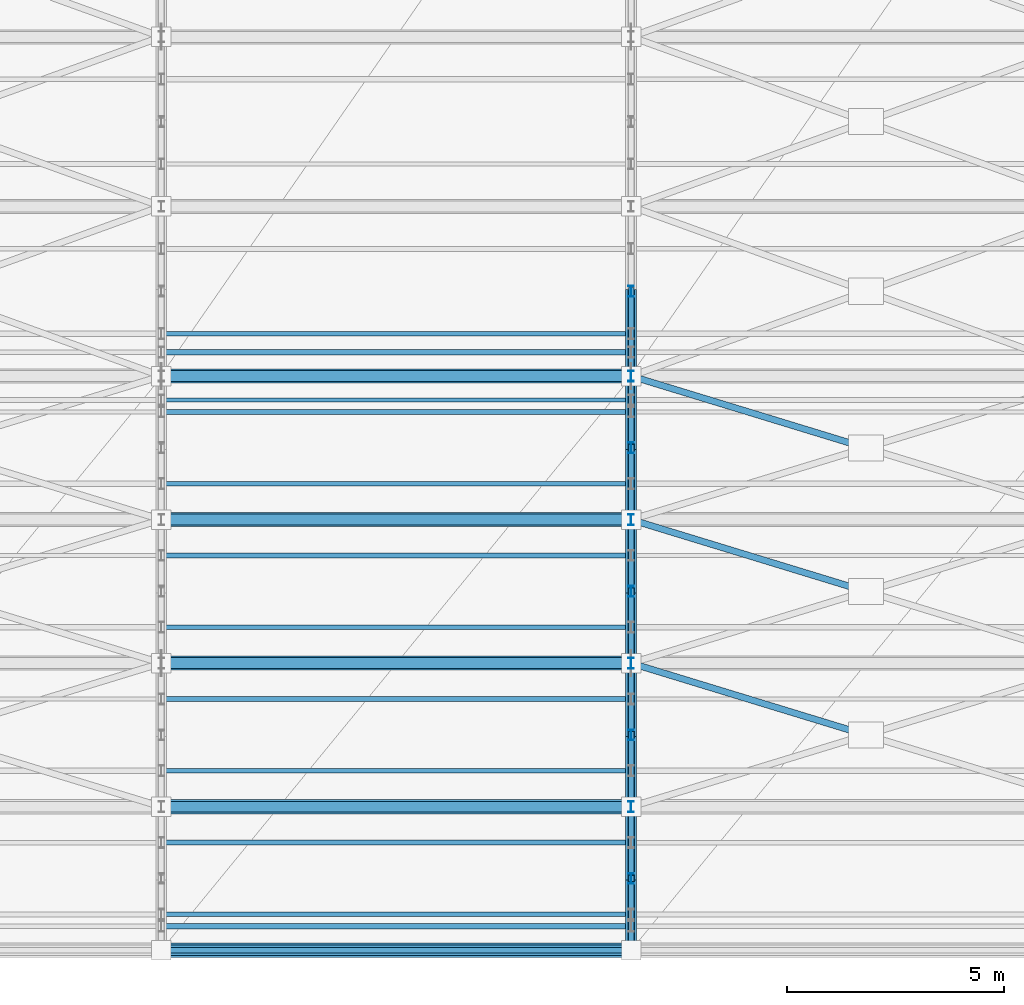
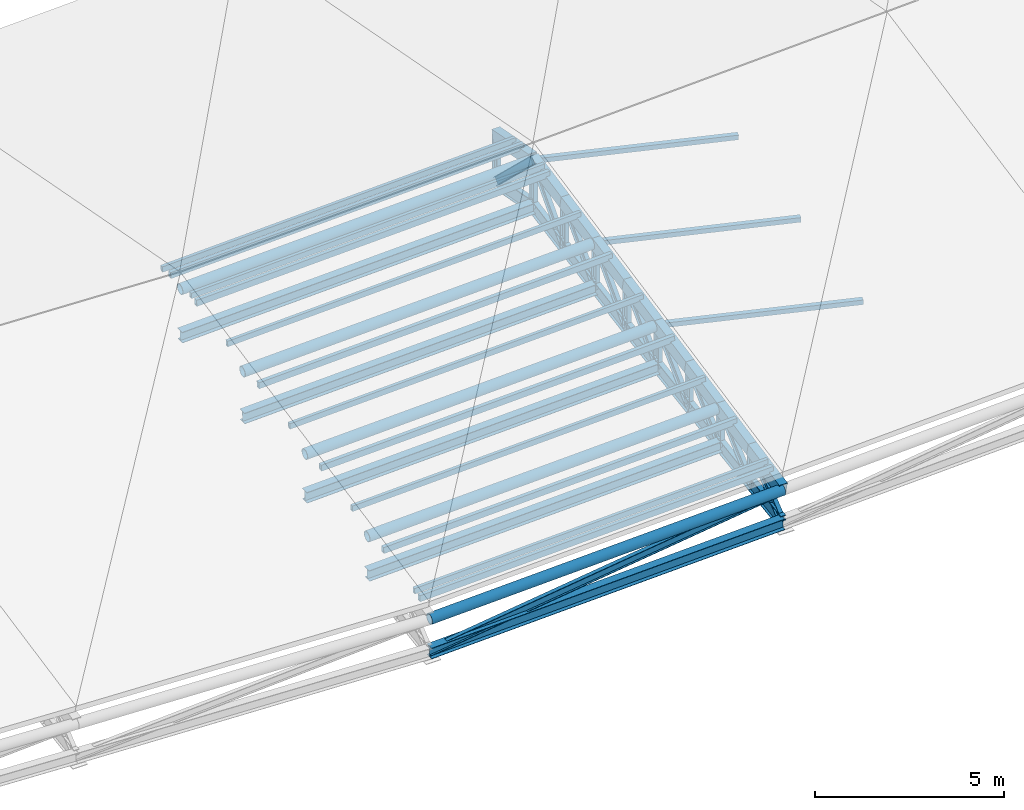
# One storey, part 21 of 89: 44 members, 18 beams.
"""IFC4 building model written with IfcOpenShell, lengths in metres."""

from ifc_helpers import new_model, si_unit, direction, frame, origin, origin_2d, place, context, subcontext, project, spatial, hollow_rectangle, hollow_circle, i_section, extrude, material, material_profile, profile_set, type_object, element, save


model = new_model("IFC4")

# Units and contexts
model_context = context("Model", 3, precision=1e-05, world=origin(), true_north=direction((0.0, 1.0)))
body_context = subcontext(model_context, "Body", "Model", "MODEL_VIEW")
ifc_project = project(units=[si_unit("LENGTHUNIT", "METRE"), si_unit("AREAUNIT", "SQUARE_METRE"), si_unit("VOLUMEUNIT", "CUBIC_METRE"), si_unit("PLANEANGLEUNIT", "RADIAN"), si_unit("MASSUNIT", "GRAM", prefix="KILO")], contexts=[model_context])

# Site, building, storey
site_placement = place(None, origin())
site = spatial("IfcSite", under=ifc_project, at=site_placement, CompositionType="ELEMENT")
building_placement = place(site_placement, origin())
building = spatial("IfcBuilding", under=site, at=building_placement, Name="Suirenkawa Promenade Aquatics Centre", CompositionType="ELEMENT")
storey_placement = place(building_placement, frame((0.0, 0.0, 9.60009765625)))
storey = spatial("IfcBuildingStorey", under=building, at=storey_placement, Name="L02", CompositionType="ELEMENT", Elevation=9.60009765625)

# Beams
ifc_material = material(Name="Steel IS 2062 E350 (Grade 350)", Category="steel")
ifc_material_profile_1 = material_profile(ifc_material, i_section(OverallWidth=0.14990234375, OverallDepth=0.449951171875, WebThickness=0.009033203125, FlangeThickness=0.01708984375, at=origin_2d()), Name="ISMB 450", Category="steel")
ifc_profile_set_1 = profile_set([ifc_material_profile_1], Name="Steel IS 2062 E350 (Grade 350)")
beam_type_1 = type_object("IfcBeamType", Name="BT-STL-ISMB450", PredefinedType="BEAM", material=ifc_profile_set_1)
beam_1_placement = place(storey_placement, frame((122.39990234375, 0.0, -2.16015625), z_axis=(0.0, 0.988714190876, 0.149814047271), x_axis=(-1.0, 0.0, 0.0)))
element("IfcBeam", 1, at=beam_1_placement, inside=storey, type_object=beam_type_1, Name="ROOF TRUSS V3 bottom chord BM-08 BM-2704", PredefinedType="BEAM", context=body_context, shape_type="SweptSolid", body=[
    extrude(i_section(OverallWidth=0.14990234375, OverallDepth=0.449951171875, WebThickness=0.009033203125, FlangeThickness=0.01708984375, at=origin_2d()), origin(), (0.0, 0.0, 1.0), 1.668701171875),
])
beam_2_placement = place(storey_placement, frame((122.39990234375, 1.64990234375, -1.91015625), z_axis=(0.0, 0.988346326675, 0.152222004153), x_axis=(-1.0, 0.0, 0.0)))
element("IfcBeam", 2, at=beam_2_placement, inside=storey, type_object=beam_type_1, Name="ROOF TRUSS V3 bottom chord BM-08 BM-2706", PredefinedType="BEAM", context=body_context, shape_type="SweptSolid", body=[
    extrude(i_section(OverallWidth=0.14990234375, OverallDepth=0.449951171875, WebThickness=0.009033203125, FlangeThickness=0.01708984375, at=origin_2d()), origin(), (0.0, 0.0, 1.0), 1.669677734375),
])
beam_3_placement = place(storey_placement, frame((122.39990234375, 3.300048828125, -1.656005859375), z_axis=(0.0, 0.987921281647, 0.154956578654), x_axis=(-1.0, 0.0, 0.0)))
element("IfcBeam", 3, at=beam_3_placement, inside=storey, type_object=beam_type_1, Name="ROOF TRUSS V3 bottom chord BM-08 BM-2708", PredefinedType="BEAM", context=body_context, shape_type="SweptSolid", body=[
    extrude(i_section(OverallWidth=0.14990234375, OverallDepth=0.449951171875, WebThickness=0.009033203125, FlangeThickness=0.01708984375, at=origin_2d()), origin(), (0.0, 0.0, 1.0), 1.670166015625),
])
beam_4_placement = place(storey_placement, frame((122.39990234375, 4.949951171875, -1.397216796875), z_axis=(0.0, 0.98733650061, 0.158639952606), x_axis=(-1.0, 0.0, 0.0)))
element("IfcBeam", 4, at=beam_4_placement, inside=storey, type_object=beam_type_1, Name="ROOF TRUSS V3 bottom chord BM-08 BM-2710", PredefinedType="BEAM", context=body_context, shape_type="SweptSolid", body=[
    extrude(i_section(OverallWidth=0.14990234375, OverallDepth=0.449951171875, WebThickness=0.009033203125, FlangeThickness=0.01708984375, at=origin_2d()), origin(), (0.0, 0.0, 1.0), 1.67138671875),
])
beam_5_placement = place(storey_placement, frame((122.39990234375, 6.60009765625, -1.132080078125), z_axis=(0.0, 0.986307007362, 0.164919638698), x_axis=(-1.0, 0.0, 0.0)))
element("IfcBeam", 5, at=beam_5_placement, inside=storey, type_object=beam_type_1, Name="ROOF TRUSS V3 bottom chord BM-08 BM-2712", PredefinedType="BEAM", context=body_context, shape_type="SweptSolid", body=[
    extrude(i_section(OverallWidth=0.14990234375, OverallDepth=0.449951171875, WebThickness=0.009033203125, FlangeThickness=0.01708984375, at=origin_2d()), origin(), (0.0, 0.0, 1.0), 1.6728515625),
])
beam_6_placement = place(storey_placement, frame((122.39990234375, 8.25, -0.856201171875), z_axis=(0.0, 0.98519463055, 0.17143961017), x_axis=(-1.0, 0.0, 0.0)))
element("IfcBeam", 6, at=beam_6_placement, inside=storey, type_object=beam_type_1, Name="ROOF TRUSS V3 bottom chord BM-08 BM-2714", PredefinedType="BEAM", context=body_context, shape_type="SweptSolid", body=[
    extrude(i_section(OverallWidth=0.14990234375, OverallDepth=0.449951171875, WebThickness=0.009033203125, FlangeThickness=0.01708984375, at=origin_2d()), origin(), (0.0, 0.0, 1.0), 1.6748046875),
])
beam_7_placement = place(storey_placement, frame((122.39990234375, 9.89990234375, -0.569091796875), z_axis=(0.0, 0.983867580991, 0.178898247823), x_axis=(-1.0, 0.0, 0.0)))
element("IfcBeam", 7, at=beam_7_placement, inside=storey, type_object=beam_type_1, Name="ROOF TRUSS V3 bottom chord BM-08 BM-2716", PredefinedType="BEAM", context=body_context, shape_type="SweptSolid", body=[
    extrude(i_section(OverallWidth=0.14990234375, OverallDepth=0.449951171875, WebThickness=0.009033203125, FlangeThickness=0.01708984375, at=origin_2d()), origin(), (0.0, 0.0, 1.0), 1.67724609375),
])
beam_8_placement = place(storey_placement, frame((122.39990234375, 11.550048828125, -0.26904296875), z_axis=(0.0, 0.982478263587, 0.186377202415), x_axis=(-1.0, 0.0, 0.0)))
element("IfcBeam", 8, at=beam_8_placement, inside=storey, type_object=beam_type_1, Name="ROOF TRUSS V3 bottom chord BM-08 BM-2718", PredefinedType="BEAM", context=body_context, shape_type="SweptSolid", body=[
    extrude(i_section(OverallWidth=0.14990234375, OverallDepth=0.449951171875, WebThickness=0.009033203125, FlangeThickness=0.01708984375, at=origin_2d()), origin(), (0.0, 0.0, 1.0), 1.679443359375),
])
beam_9_placement = place(storey_placement, frame((122.39990234375, 13.199951171875, 0.0439453125), z_axis=(0.0, 0.982368697104, -0.18695385246), x_axis=(-1.0, 0.0, 0.0)))
element("IfcBeam", 9, at=beam_9_placement, inside=storey, type_object=beam_type_1, Name="ROOF TRUSS V3 bottom chord BM-08 BM-2720", PredefinedType="BEAM", context=body_context, shape_type="SweptSolid", body=[
    extrude(i_section(OverallWidth=0.14990234375, OverallDepth=0.449951171875, WebThickness=0.009033203125, FlangeThickness=0.01708984375, at=origin_2d()), origin(), (0.0, 0.0, 1.0), 1.98486328125),
])
ifc_material_profile_2 = material_profile(ifc_material, hollow_rectangle(XDim=0.25, YDim=0.39990234375, WallThickness=0.01611328125, at=origin_2d()), Name="RHS 400x250x16", Category="steel")
ifc_profile_set_2 = profile_set([ifc_material_profile_2], Name="Steel IS 2062 E350 (Grade 350)")
beam_type_2 = type_object("IfcBeamType", Name="BT-TC-RHS400", PredefinedType="BEAM", material=ifc_profile_set_2)
beam_10_placement = place(storey_placement, frame((122.39990234375, 0.0, -1.110107421875), z_axis=(0.0, 0.980457722696, 0.196729901151), x_axis=(-1.0, 0.0, 0.0)))
element("IfcBeam", 10, at=beam_10_placement, inside=storey, type_object=beam_type_2, Name="ROOF TRUSS V3 top chord TC-03 BM-2703", PredefinedType="BEAM", context=body_context, shape_type="SweptSolid", body=[
    extrude(hollow_rectangle(XDim=0.25, YDim=0.39990234375, WallThickness=0.01611328125, at=origin_2d()), origin(), (0.0, 0.0, 1.0), 1.682861328125),
])
beam_11_placement = place(storey_placement, frame((122.39990234375, 1.64990234375, -0.779052734375), z_axis=(0.0, 0.980351285841, 0.197259616621), x_axis=(-1.0, 0.0, 0.0)))
element("IfcBeam", 11, at=beam_11_placement, inside=storey, type_object=beam_type_2, Name="ROOF TRUSS V3 top chord TC-03 BM-2705", PredefinedType="BEAM", context=body_context, shape_type="SweptSolid", body=[
    extrude(hollow_rectangle(XDim=0.25, YDim=0.39990234375, WallThickness=0.01611328125, at=origin_2d()), origin(), (0.0, 0.0, 1.0), 1.68310546875),
])
beam_12_placement = place(storey_placement, frame((122.39990234375, 3.300048828125, -0.447021484375), z_axis=(0.0, 0.980485697583, 0.196590429154), x_axis=(-1.0, 0.0, 0.0)))
element("IfcBeam", 12, at=beam_12_placement, inside=storey, type_object=beam_type_2, Name="ROOF TRUSS V3 top chord TC-03 BM-2707", PredefinedType="BEAM", context=body_context, shape_type="SweptSolid", body=[
    extrude(hollow_rectangle(XDim=0.25, YDim=0.39990234375, WallThickness=0.01611328125, at=origin_2d()), origin(), (0.0, 0.0, 1.0), 1.682861328125),
])
beam_13_placement = place(storey_placement, frame((122.39990234375, 4.949951171875, -0.1162109375), z_axis=(0.0, 0.980463336519, 0.196701921042), x_axis=(-1.0, 0.0, 0.0)))
element("IfcBeam", 13, at=beam_13_placement, inside=storey, type_object=beam_type_2, Name="ROOF TRUSS V3 top chord TC-03 BM-2709", PredefinedType="BEAM", context=body_context, shape_type="SweptSolid", body=[
    extrude(hollow_rectangle(XDim=0.25, YDim=0.39990234375, WallThickness=0.01611328125, at=origin_2d()), origin(), (0.0, 0.0, 1.0), 1.68310546875),
])
for number, where, z_axis, x_axis, name in (
    (14, (122.39990234375, 6.60009765625, 0.21484375), (0.0, 0.980457722696, 0.196729901151), (-1.0, 0.0, 0.0), "ROOF TRUSS V3 top chord TC-03 BM-2711"),
    (15, (122.39990234375, 8.25, 0.5458984375), (0.0, 0.980345640785, 0.197287669646), (-1.0, 0.0, 0.0), "ROOF TRUSS V3 top chord TC-03 BM-2713"),
):
    element("IfcBeam", number, at=place(storey_placement, frame(where, z_axis=z_axis, x_axis=x_axis)), inside=storey, type_object=beam_type_2, Name=name, PredefinedType="BEAM", context=body_context, shape_type="SweptSolid", body=[
        extrude(hollow_rectangle(XDim=0.25, YDim=0.39990234375, WallThickness=0.01611328125, at=origin_2d()), origin(), (0.0, 0.0, 1.0), 1.682861328125),
    ])
beam_14_placement = place(storey_placement, frame((122.39990234375, 9.89990234375, 0.8779296875), z_axis=(0.0, 0.980463336519, 0.196701921042), x_axis=(-1.0, 0.0, 0.0)))
element("IfcBeam", 16, at=beam_14_placement, inside=storey, type_object=beam_type_2, Name="ROOF TRUSS V3 top chord TC-03 BM-2715", PredefinedType="BEAM", context=body_context, shape_type="SweptSolid", body=[
    extrude(hollow_rectangle(XDim=0.25, YDim=0.39990234375, WallThickness=0.01611328125, at=origin_2d()), origin(), (0.0, 0.0, 1.0), 1.68310546875),
])
beam_15_placement = place(storey_placement, frame((122.39990234375, 11.550048828125, 1.208984375), z_axis=(0.0, 0.980485697583, 0.196590429154), x_axis=(-1.0, 0.0, 0.0)))
element("IfcBeam", 17, at=beam_15_placement, inside=storey, type_object=beam_type_2, Name="ROOF TRUSS V3 top chord TC-03 BM-2717", PredefinedType="BEAM", context=body_context, shape_type="SweptSolid", body=[
    extrude(hollow_rectangle(XDim=0.25, YDim=0.39990234375, WallThickness=0.01611328125, at=origin_2d()), origin(), (0.0, 0.0, 1.0), 1.682861328125),
])
beam_16_placement = place(storey_placement, frame((122.39990234375, 13.199951171875, 1.539794921875), z_axis=(0.0, 0.982571460273, -0.185885248087), x_axis=(-1.0, 0.0, 0.0)))
element("IfcBeam", 18, at=beam_16_placement, inside=storey, type_object=beam_type_2, Name="ROOF TRUSS V3 top chord TC-03 BM-2719", PredefinedType="BEAM", context=body_context, shape_type="SweptSolid", body=[
    extrude(hollow_rectangle(XDim=0.25, YDim=0.39990234375, WallThickness=0.01611328125, at=origin_2d()), origin(), (0.0, 0.0, 1.0), 1.984619140625),
])

# Members
ifc_material_profile_3 = material_profile(ifc_material, hollow_rectangle(XDim=0.14990234375, YDim=0.14990234375, WallThickness=0.008056640625, at=origin_2d()), Name="SHS 150x150x8", Category="steel")
ifc_profile_set_3 = profile_set([ifc_material_profile_3], Name="Steel IS 2062 E350 (Grade 350)")
member_type_1 = type_object("IfcMemberType", Name="MT-BRACE-SHS150", PredefinedType="BRACE", material=ifc_profile_set_3)
for number, where, z_axis, x_axis, name in (
    (19, (127.718994140625, 4.97509765625, 0.11083984375), (-0.9561983735, 0.292121741131, 0.018696493648), (-0.292172811394, -0.956365541141, 0.0), "ROOF TRUSS V3 split plan brace B BF-02 MB-1653"),
    (20, (127.718994140625, 8.27490234375, 0.77294921875), (-0.956195220306, 0.29212077782, 0.018871985346), (-0.292172811394, -0.956365541141, 0.0), "ROOF TRUSS V3 split plan brace B BF-02 MB-1656"),
    (21, (127.718994140625, 11.574951171875, 1.435791015625), (-0.9561983735, 0.292121741131, 0.018696493648), (-0.292172811394, -0.956365541141, 0.0), "ROOF TRUSS V3 split plan brace B BF-02 MB-1659"),
):
    element("IfcMember", number, at=place(storey_placement, frame(where, z_axis=z_axis, x_axis=x_axis)), inside=storey, type_object=member_type_1, Name=name, PredefinedType="BRACE", context=body_context, shape_type="SweptSolid", body=[
        extrude(hollow_rectangle(XDim=0.14990234375, YDim=0.14990234375, WallThickness=0.008056640625, at=origin_2d()), origin(), (0.0, 0.0, 1.0), 5.562744140625),
    ])
ifc_material_profile_4 = material_profile(ifc_material, hollow_circle(Radius=0.162109375, WallThickness=0.013916015625, at=origin_2d()), Name="CHS 324x14", Category="steel")
ifc_profile_set_4 = profile_set([ifc_material_profile_4], Name="Steel IS 2062 E350 (Grade 350)")
member_type_2 = type_object("IfcMemberType", Name="MT-CHORD-CHS324", PredefinedType="CHORD", material=ifc_profile_set_4)
for number, where, z_axis, x_axis, name in (
    (22, (111.60009765625, 0.0, -1.510009765625), (0.999315143191, 0.0, 0.037003305103), (0.0, 1.0, 0.0), "ROOF TRUSS V3 eave top chord CH-01 MB-1502"),
    (23, (111.60009765625, 3.300048828125, -0.84716796875), (0.999314307585, 0.0, 0.037025864683), (0.0, 1.0, 0.0), "ROOF TRUSS V3 tie chord CH-01 MB-1541"),
    (24, (111.60009765625, 6.60009765625, -0.18505859375), (0.999315143191, 0.0, 0.037003305103), (0.0, 1.0, 0.0), "ROOF TRUSS V3 tie chord CH-01 MB-1555"),
    (25, (111.60009765625, 9.89990234375, 0.477783203125), (0.999314307585, 0.0, 0.037025864683), (0.0, 1.0, 0.0), "ROOF TRUSS V3 tie chord CH-01 MB-1569"),
    (26, (111.60009765625, 13.199951171875, 1.139892578125), (0.999315143191, 0.0, 0.037003305103), (0.0, 1.0, 0.0), "ROOF TRUSS V3 tie chord CH-01 MB-1583"),
):
    element("IfcMember", number, at=place(storey_placement, frame(where, z_axis=z_axis, x_axis=x_axis)), inside=storey, type_object=member_type_2, Name=name, PredefinedType="CHORD", context=body_context, shape_type="SweptSolid", body=[
        extrude(hollow_circle(Radius=0.162109375, WallThickness=0.013916015625, at=origin_2d()), origin(), (0.0, 0.0, 1.0), 10.80712890625),
    ])
ifc_material_profile_5 = material_profile(ifc_material, i_section(OverallWidth=0.25, OverallDepth=0.35009765625, WebThickness=0.010009765625, FlangeThickness=0.011962890625, at=origin_2d()), Name="ISHB 350", Category="steel")
ifc_profile_set_5 = profile_set([ifc_material_profile_5], Name="Steel IS 2062 E350 (Grade 350)")
member_type_3 = type_object("IfcMemberType", Name="MT-CHORD-ISHB350", PredefinedType="CHORD", material=ifc_profile_set_5)
for number, where, z_axis, x_axis, name in (
    (27, (111.60009765625, 0.0, -2.56005859375), (0.999315143191, 0.0, 0.037003305103), (0.0, 1.0, 0.0), "ROOF TRUSS V3 eave bottom chord CH-04 MB-1503"),
    (28, (111.60009765625, 3.300048828125, -2.05615234375), (0.999314307585, 0.0, 0.037025864683), (0.0, 1.0, 0.0), "ROOF TRUSS V3 bottom tie CH-04 MB-1542"),
    (29, (111.60009765625, 6.60009765625, -1.531982421875), (0.999315143191, 0.0, 0.037003305103), (0.0, 1.0, 0.0), "ROOF TRUSS V3 bottom tie CH-04 MB-1556"),
    (30, (111.60009765625, 9.89990234375, -0.968994140625), (0.999315143191, 0.0, 0.037003305103), (0.0, 1.0, 0.0), "ROOF TRUSS V3 bottom tie CH-04 MB-1570"),
    (31, (111.60009765625, 13.199951171875, -0.356201171875), (0.999314307585, 0.0, 0.037025864683), (0.0, 1.0, 0.0), "ROOF TRUSS V3 bottom tie CH-04 MB-1584"),
):
    element("IfcMember", number, at=place(storey_placement, frame(where, z_axis=z_axis, x_axis=x_axis)), inside=storey, type_object=member_type_3, Name=name, PredefinedType="CHORD", context=body_context, shape_type="SweptSolid", body=[
        extrude(i_section(OverallWidth=0.25, OverallDepth=0.35009765625, WebThickness=0.010009765625, FlangeThickness=0.011962890625, at=origin_2d()), origin(), (0.0, 0.0, 1.0), 10.80712890625),
    ])
ifc_material_profile_6 = material_profile(ifc_material, hollow_rectangle(XDim=0.10009765625, YDim=0.179931640625, WallThickness=0.008056640625, at=origin_2d()), Name="RHS 180x100x8", Category="steel")
ifc_profile_set_6 = profile_set([ifc_material_profile_6], Name="Steel IS 2062 E350 (Grade 350)")
member_type_4 = type_object("IfcMemberType", Name="MT-PURLIN-RHS180", PredefinedType="PURLIN", material=ifc_profile_set_6)
for number, where, z_axis, x_axis, name in (
    (32, (111.60009765625, 0.824951171875, -1.092041015625), (0.999315143191, 0.0, 0.037003305103), (0.0, 1.0, 0.0), "ROOF TRUSS Roof purlin PU-01 MB-2747"),
    (33, (111.60009765625, 4.125, -0.43017578125), (0.999314307585, 0.0, 0.037025864683), (0.0, 1.0, 0.0), "ROOF TRUSS Roof purlin PU-01 MB-2751"),
    (34, (111.60009765625, 7.425048828125, 0.23291015625), (0.999315143191, 0.0, 0.037003305103), (0.0, 1.0, 0.0), "ROOF TRUSS Roof purlin PU-01 MB-2755"),
    (35, (111.60009765625, 10.72509765625, 0.89501953125), (0.999315143191, 0.0, 0.037003305103), (0.0, 1.0, 0.0), "ROOF TRUSS Roof purlin PU-01 MB-2759"),
    (36, (111.60009765625, 12.64990234375, 1.281982421875), (0.999315143191, 0.0, 0.037003305103), (0.0, 1.0, 0.0), "ROOF TRUSS Roof purlin PU-01 MB-2763"),
    (37, (111.60009765625, 14.175048828125, 1.208984375), (0.999315143191, 0.0, 0.037003305103), (0.0, 1.0, 0.0), "ROOF TRUSS Roof purlin PU-01 MB-2767"),
):
    element("IfcMember", number, at=place(storey_placement, frame(where, z_axis=z_axis, x_axis=x_axis)), inside=storey, type_object=member_type_4, Name=name, PredefinedType="PURLIN", context=body_context, shape_type="SweptSolid", body=[
        extrude(hollow_rectangle(XDim=0.10009765625, YDim=0.179931640625, WallThickness=0.008056640625, at=origin_2d()), origin(), (0.0, 0.0, 1.0), 10.80712890625),
    ])
ifc_material_profile_7 = material_profile(ifc_material, hollow_rectangle(XDim=0.1201171875, YDim=0.199951171875, WallThickness=0.008056640625, at=origin_2d()), Name="RHS 200x120x8", Category="steel")
ifc_profile_set_7 = profile_set([ifc_material_profile_7], Name="Steel IS 2062 E350 (Grade 350)")
member_type_5 = type_object("IfcMemberType", Name="MT-PURLIN-RHS200", PredefinedType="PURLIN", material=ifc_profile_set_7)
for number, where, z_axis, x_axis, name in (
    (38, (111.60009765625, 0.550048828125, -1.16015625), (0.999314307585, 0.0, 0.037025864683), (0.0, 1.0, 0.0), "ROOF TRUSS Roof purlin PU-02 MB-2745"),
    (39, (111.60009765625, 2.47509765625, -0.773193359375), (0.999314307585, 0.0, 0.037025864683), (0.0, 1.0, 0.0), "ROOF TRUSS Roof purlin PU-02 MB-2749"),
    (40, (111.60009765625, 5.77490234375, -0.111083984375), (0.999315143191, 0.0, 0.037003305103), (0.0, 1.0, 0.0), "ROOF TRUSS Roof purlin PU-02 MB-2753"),
    (41, (111.60009765625, 9.074951171875, 0.552001953125), (0.999315143191, 0.0, 0.037003305103), (0.0, 1.0, 0.0), "ROOF TRUSS Roof purlin PU-02 MB-2757"),
    (42, (111.60009765625, 12.375, 1.2138671875), (0.999314307585, 0.0, 0.037025864683), (0.0, 1.0, 0.0), "ROOF TRUSS Roof purlin PU-02 MB-2761"),
    (43, (111.60009765625, 13.75, 1.27685546875), (0.999314307585, 0.0, 0.037025864683), (0.0, 1.0, 0.0), "ROOF TRUSS Roof purlin PU-02 MB-2765"),
):
    element("IfcMember", number, at=place(storey_placement, frame(where, z_axis=z_axis, x_axis=x_axis)), inside=storey, type_object=member_type_5, Name=name, PredefinedType="PURLIN", context=body_context, shape_type="SweptSolid", body=[
        extrude(hollow_rectangle(XDim=0.1201171875, YDim=0.199951171875, WallThickness=0.008056640625, at=origin_2d()), origin(), (0.0, 0.0, 1.0), 10.80712890625),
    ])
ifc_material_profile_8 = material_profile(ifc_material, i_section(OverallWidth=0.125, OverallDepth=0.25, WebThickness=0.007080078125, FlangeThickness=0.012939453125, at=origin_2d()), Name="ISMB 250", Category="steel")
ifc_profile_set_8 = profile_set([ifc_material_profile_8], Name="Steel IS 2062 E350 (Grade 350)")
member_type_6 = type_object("IfcMemberType", Name="MT-WEB-CHS168", PredefinedType="BRACE", material=ifc_profile_set_8)
member_1_placement = place(storey_placement, frame((122.39990234375, 0.0, -2.16015625), z_axis=(0.0, 0.766805727189, 0.641879254026), x_axis=(-1.0, 0.0, 0.0)))
element("IfcMember", 44, at=member_1_placement, inside=storey, type_object=member_type_6, Name="ROOF TRUSS V3 web diagonal TD-03 MB-1400", PredefinedType="BRACE", context=body_context, shape_type="SweptSolid", body=[
    extrude(i_section(OverallWidth=0.125, OverallDepth=0.25, WebThickness=0.007080078125, FlangeThickness=0.012939453125, at=origin_2d()), origin(), (0.0, 0.0, 1.0), 2.151611328125),
])
member_2_placement = place(storey_placement, frame((122.39990234375, 1.64990234375, -1.91015625), z_axis=(0.0, 0.748233280402, 0.663435722658), x_axis=(-1.0, 0.0, 0.0)))
element("IfcMember", 45, at=member_2_placement, inside=storey, type_object=member_type_6, Name="ROOF TRUSS V3 web diagonal TD-03 MB-1401", PredefinedType="BRACE", context=body_context, shape_type="SweptSolid", body=[
    extrude(i_section(OverallWidth=0.125, OverallDepth=0.25, WebThickness=0.007080078125, FlangeThickness=0.012939453125, at=origin_2d()), origin(), (0.0, 0.0, 1.0), 2.205322265625),
])
member_3_placement = place(storey_placement, frame((122.39990234375, 3.300048828125, -1.656005859375), z_axis=(0.0, 0.731080449788, 0.682291269135), x_axis=(-1.0, 0.0, 0.0)))
element("IfcMember", 46, at=member_3_placement, inside=storey, type_object=member_type_6, Name="ROOF TRUSS V3 web diagonal TD-03 MB-1402", PredefinedType="BRACE", context=body_context, shape_type="SweptSolid", body=[
    extrude(i_section(OverallWidth=0.125, OverallDepth=0.25, WebThickness=0.007080078125, FlangeThickness=0.012939453125, at=origin_2d()), origin(), (0.0, 0.0, 1.0), 2.2568359375),
])
member_4_placement = place(storey_placement, frame((122.39990234375, 4.949951171875, -1.397216796875), z_axis=(0.0, 0.715313433298, 0.698803757963), x_axis=(-1.0, 0.0, 0.0)))
element("IfcMember", 47, at=member_4_placement, inside=storey, type_object=member_type_6, Name="ROOF TRUSS V3 web diagonal TD-03 MB-1403", PredefinedType="BRACE", context=body_context, shape_type="SweptSolid", body=[
    extrude(i_section(OverallWidth=0.125, OverallDepth=0.25, WebThickness=0.007080078125, FlangeThickness=0.012939453125, at=origin_2d()), origin(), (0.0, 0.0, 1.0), 2.306884765625),
])
member_5_placement = place(storey_placement, frame((122.39990234375, 6.60009765625, -1.132080078125), z_axis=(0.0, 0.701116216261, 0.713047018994), x_axis=(-1.0, 0.0, 0.0)))
element("IfcMember", 48, at=member_5_placement, inside=storey, type_object=member_type_6, Name="ROOF TRUSS V3 web diagonal TD-03 MB-1404", PredefinedType="BRACE", context=body_context, shape_type="SweptSolid", body=[
    extrude(i_section(OverallWidth=0.125, OverallDepth=0.25, WebThickness=0.007080078125, FlangeThickness=0.012939453125, at=origin_2d()), origin(), (0.0, 0.0, 1.0), 2.353271484375),
])
member_6_placement = place(storey_placement, frame((122.39990234375, 8.25, -0.856201171875), z_axis=(0.0, 0.689293428804, 0.724482276531), x_axis=(-1.0, 0.0, 0.0)))
element("IfcMember", 49, at=member_6_placement, inside=storey, type_object=member_type_6, Name="ROOF TRUSS V3 web diagonal TD-03 MB-1405", PredefinedType="BRACE", context=body_context, shape_type="SweptSolid", body=[
    extrude(i_section(OverallWidth=0.125, OverallDepth=0.25, WebThickness=0.007080078125, FlangeThickness=0.012939453125, at=origin_2d()), origin(), (0.0, 0.0, 1.0), 2.3935546875),
])
member_7_placement = place(storey_placement, frame((122.39990234375, 9.89990234375, -0.569091796875), z_axis=(0.0, 0.680246477902, 0.732983444084), x_axis=(-1.0, 0.0, 0.0)))
element("IfcMember", 50, at=member_7_placement, inside=storey, type_object=member_type_6, Name="ROOF TRUSS V3 web diagonal TD-03 MB-1406", PredefinedType="BRACE", context=body_context, shape_type="SweptSolid", body=[
    extrude(i_section(OverallWidth=0.125, OverallDepth=0.25, WebThickness=0.007080078125, FlangeThickness=0.012939453125, at=origin_2d()), origin(), (0.0, 0.0, 1.0), 2.42578125),
])
member_8_placement = place(storey_placement, frame((122.39990234375, 11.550048828125, -0.26904296875), z_axis=(0.0, 0.673902786991, 0.73882002794), x_axis=(-1.0, 0.0, 0.0)))
element("IfcMember", 51, at=member_8_placement, inside=storey, type_object=member_type_6, Name="ROOF TRUSS V3 web diagonal TD-03 MB-1407", PredefinedType="BRACE", context=body_context, shape_type="SweptSolid", body=[
    extrude(i_section(OverallWidth=0.125, OverallDepth=0.25, WebThickness=0.007080078125, FlangeThickness=0.012939453125, at=origin_2d()), origin(), (0.0, 0.0, 1.0), 2.4482421875),
])
member_9_placement = place(storey_placement, frame((122.39990234375, 13.199951171875, 1.539794921875), z_axis=(0.0, 0.722313777242, -0.691565475719), x_axis=(-1.0, 0.0, 0.0)))
element("IfcMember", 52, at=member_9_placement, inside=storey, type_object=member_type_6, Name="ROOF TRUSS V3 web diagonal TD-03 MB-1408", PredefinedType="BRACE", context=body_context, shape_type="SweptSolid", body=[
    extrude(i_section(OverallWidth=0.125, OverallDepth=0.25, WebThickness=0.007080078125, FlangeThickness=0.012939453125, at=origin_2d()), origin(), (0.0, 0.0, 1.0), 2.69970703125),
])
member_10_placement = place(storey_placement, frame((122.39990234375, 1.64990234375, -1.91015625), z_axis=(0.0, 0.0, 1.0), x_axis=(1.0, 0.0, 0.0)))
element("IfcMember", 53, at=member_10_placement, inside=storey, type_object=member_type_6, Name="ROOF TRUSS V3 web post TD-03 MB-1416", PredefinedType="BRACE", context=body_context, shape_type="SweptSolid", body=[
    extrude(i_section(OverallWidth=0.125, OverallDepth=0.25, WebThickness=0.007080078125, FlangeThickness=0.012939453125, at=origin_2d()), origin(), (0.0, 0.0, 1.0), 1.131103515625),
])
member_11_placement = place(storey_placement, frame((122.39990234375, 3.300048828125, -1.656005859375), z_axis=(0.0, 0.0, 1.0), x_axis=(1.0, 0.0, 0.0)))
element("IfcMember", 54, at=member_11_placement, inside=storey, type_object=member_type_6, Name="ROOF TRUSS V3 web post TD-03 MB-1417", PredefinedType="BRACE", context=body_context, shape_type="SweptSolid", body=[
    extrude(i_section(OverallWidth=0.125, OverallDepth=0.25, WebThickness=0.007080078125, FlangeThickness=0.012939453125, at=origin_2d()), origin(), (0.0, 0.0, 1.0), 1.208984375),
])
member_12_placement = place(storey_placement, frame((122.39990234375, 4.949951171875, -1.397216796875), z_axis=(0.0, 0.0, 1.0), x_axis=(1.0, 0.0, 0.0)))
element("IfcMember", 55, at=member_12_placement, inside=storey, type_object=member_type_6, Name="ROOF TRUSS V3 web post TD-03 MB-1418", PredefinedType="BRACE", context=body_context, shape_type="SweptSolid", body=[
    extrude(i_section(OverallWidth=0.125, OverallDepth=0.25, WebThickness=0.007080078125, FlangeThickness=0.012939453125, at=origin_2d()), origin(), (0.0, 0.0, 1.0), 1.281005859375),
])
member_13_placement = place(storey_placement, frame((122.39990234375, 6.60009765625, -1.132080078125), z_axis=(0.0, 0.0, 1.0), x_axis=(1.0, 0.0, 0.0)))
element("IfcMember", 56, at=member_13_placement, inside=storey, type_object=member_type_6, Name="ROOF TRUSS V3 web post TD-03 MB-1419", PredefinedType="BRACE", context=body_context, shape_type="SweptSolid", body=[
    extrude(i_section(OverallWidth=0.125, OverallDepth=0.25, WebThickness=0.007080078125, FlangeThickness=0.012939453125, at=origin_2d()), origin(), (0.0, 0.0, 1.0), 1.346923828125),
])
member_14_placement = place(storey_placement, frame((122.39990234375, 8.25, -0.856201171875), z_axis=(0.0, 0.0, 1.0), x_axis=(1.0, 0.0, 0.0)))
element("IfcMember", 57, at=member_14_placement, inside=storey, type_object=member_type_6, Name="ROOF TRUSS V3 web post TD-03 MB-1420", PredefinedType="BRACE", context=body_context, shape_type="SweptSolid", body=[
    extrude(i_section(OverallWidth=0.125, OverallDepth=0.25, WebThickness=0.007080078125, FlangeThickness=0.012939453125, at=origin_2d()), origin(), (0.0, 0.0, 1.0), 1.402099609375),
])
member_15_placement = place(storey_placement, frame((122.39990234375, 9.89990234375, -0.569091796875), z_axis=(0.0, 0.0, 1.0), x_axis=(1.0, 0.0, 0.0)))
element("IfcMember", 58, at=member_15_placement, inside=storey, type_object=member_type_6, Name="ROOF TRUSS V3 web post TD-03 MB-1421", PredefinedType="BRACE", context=body_context, shape_type="SweptSolid", body=[
    extrude(i_section(OverallWidth=0.125, OverallDepth=0.25, WebThickness=0.007080078125, FlangeThickness=0.012939453125, at=origin_2d()), origin(), (0.0, 0.0, 1.0), 1.447021484375),
])
member_16_placement = place(storey_placement, frame((122.39990234375, 11.550048828125, -0.26904296875), z_axis=(0.0, 0.0, 1.0), x_axis=(1.0, 0.0, 0.0)))
element("IfcMember", 59, at=member_16_placement, inside=storey, type_object=member_type_6, Name="ROOF TRUSS V3 web post TD-03 MB-1422", PredefinedType="BRACE", context=body_context, shape_type="SweptSolid", body=[
    extrude(i_section(OverallWidth=0.125, OverallDepth=0.25, WebThickness=0.007080078125, FlangeThickness=0.012939453125, at=origin_2d()), origin(), (0.0, 0.0, 1.0), 1.47802734375),
])
member_17_placement = place(storey_placement, frame((122.39990234375, 13.199951171875, 0.0439453125), z_axis=(0.0, 0.0, 1.0), x_axis=(1.0, 0.0, 0.0)))
element("IfcMember", 60, at=member_17_placement, inside=storey, type_object=member_type_6, Name="ROOF TRUSS V3 web post TD-03 MB-1423", PredefinedType="BRACE", context=body_context, shape_type="SweptSolid", body=[
    extrude(i_section(OverallWidth=0.125, OverallDepth=0.25, WebThickness=0.007080078125, FlangeThickness=0.012939453125, at=origin_2d()), origin(), (0.0, 0.0, 1.0), 1.495849609375),
])
member_18_placement = place(storey_placement, frame((122.39990234375, 15.14990234375, -0.3271484375), z_axis=(0.0, 0.0, 1.0), x_axis=(1.0, 0.0, 0.0)))
element("IfcMember", 61, at=member_18_placement, inside=storey, type_object=member_type_6, Name="ROOF TRUSS V3 web post TD-03 MB-1424", PredefinedType="BRACE", context=body_context, shape_type="SweptSolid", body=[
    extrude(i_section(OverallWidth=0.125, OverallDepth=0.25, WebThickness=0.007080078125, FlangeThickness=0.012939453125, at=origin_2d()), origin(), (0.0, 0.0, 1.0), 1.498046875),
])
member_19_placement = place(storey_placement, frame((111.60009765625, 0.0, -2.56005859375), z_axis=(0.991107542531, 0.0, 0.13306328997), x_axis=(0.0, 1.0, 0.0)))
element("IfcMember", 62, at=member_19_placement, inside=storey, type_object=member_type_6, Name="ROOF TRUSS V3 eave web diagonal TD-03 MB-1504", PredefinedType="BRACE", context=body_context, shape_type="SweptSolid", body=[
    extrude(i_section(OverallWidth=0.125, OverallDepth=0.25, WebThickness=0.007080078125, FlangeThickness=0.012939453125, at=origin_2d()), origin(), (0.0, 0.0, 1.0), 10.896728515625),
])

save(model, "model.ifc")
